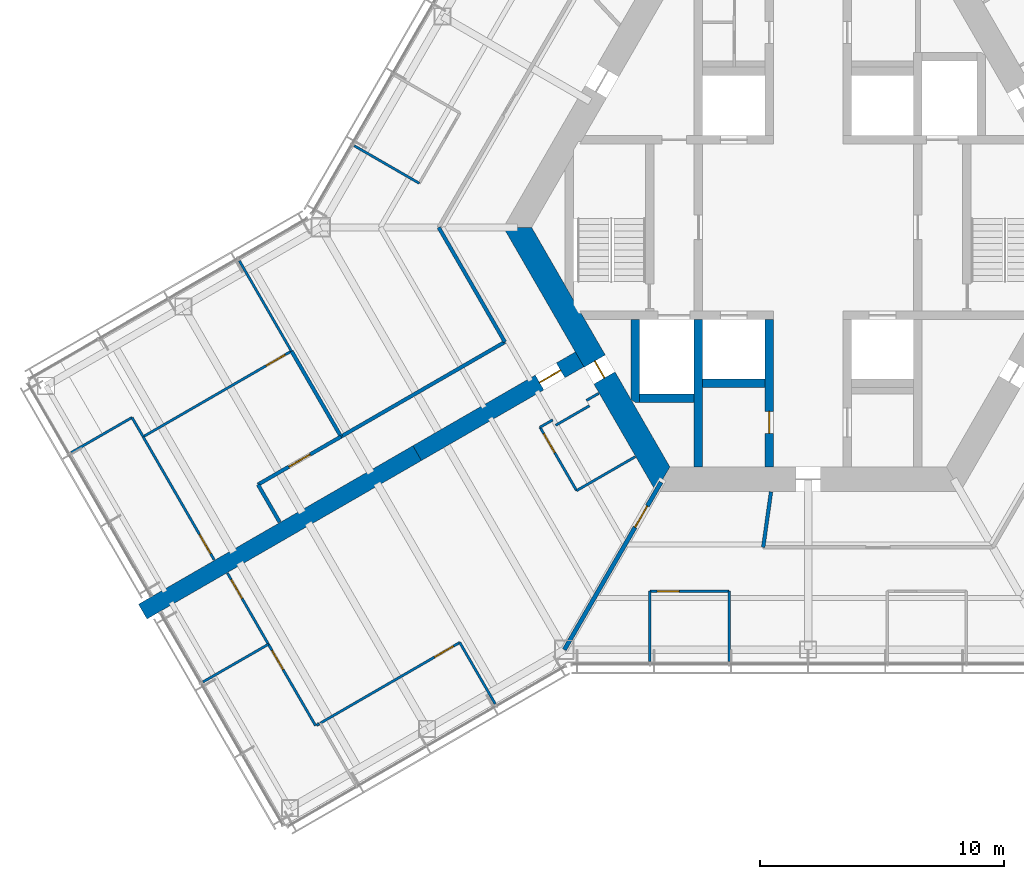
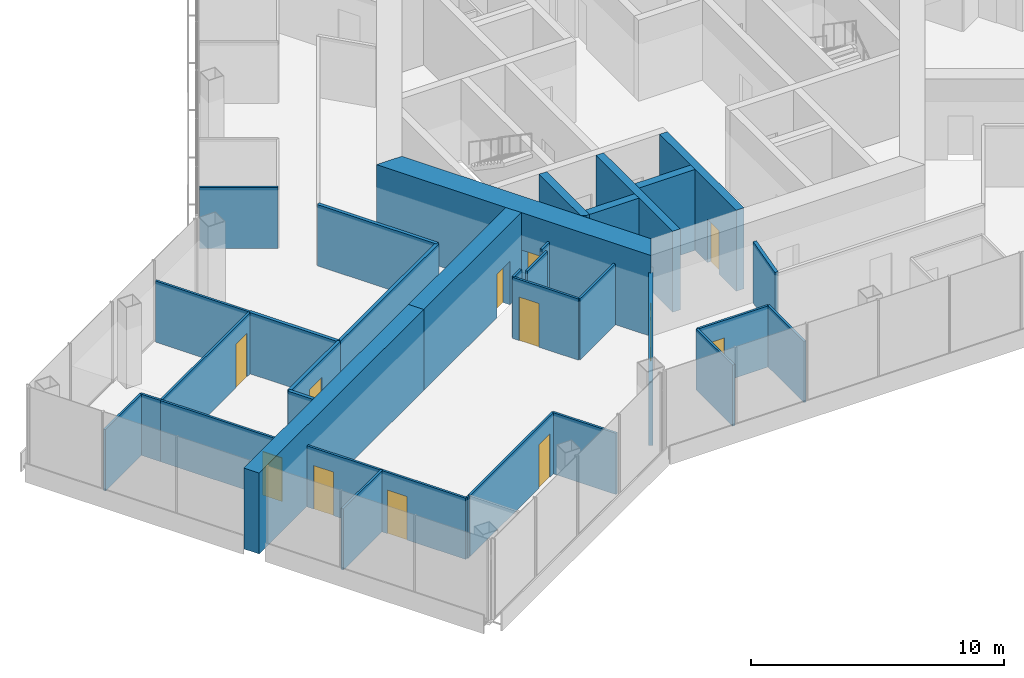
# One storey, part 12 of 18: 35 walls, 12 doors, 12 openings.
"""IFC4 building model written with IfcOpenShell, lengths in metres."""

from ifc_helpers import new_model, si_unit, direction, frame, frame_2d, origin, place, context, subcontext, project, spatial, polyline, rectangle, outline, extrude, material, layer, layer_set, type_object, element, fill, save


model = new_model("IFC4")

# Units and contexts
model_context = context("Model", 3, precision=1e-05, world=origin(), true_north=direction((0.0, 1.0)))
body_context = subcontext(model_context, "Body", "Model", "MODEL_VIEW")
ifc_project = project(units=[si_unit("LENGTHUNIT", "METRE"), si_unit("AREAUNIT", "SQUARE_METRE"), si_unit("VOLUMEUNIT", "CUBIC_METRE"), si_unit("PLANEANGLEUNIT", "RADIAN"), si_unit("MASSUNIT", "GRAM", prefix="KILO")], contexts=[model_context])

# Site, building, storey
site_placement = place(None, origin())
site = spatial("IfcSite", under=ifc_project, at=site_placement, CompositionType="ELEMENT")
building_placement = place(site_placement, origin())
building = spatial("IfcBuilding", under=site, at=building_placement, Name="Kasaneha Research Tower", CompositionType="ELEMENT")
storey_placement = place(building_placement, frame((0.0, 0.0, 187.699951171875)))
storey = spatial("IfcBuildingStorey", under=building, at=storey_placement, Name="L47", CompositionType="ELEMENT", Elevation=187.699951171875)

# Wall, opening, door
ifc_material_1 = material(Name="Concrete Fc70", Category="concrete")
ifc_layer_1 = layer(ifc_material_1, 0.35009765625)
ifc_layer_set_1 = layer_set([ifc_layer_1], Name="Core internal wall 350 Fc70")
wall_type_1 = type_object("IfcWallType", Name="Core internal wall 350 Fc70", PredefinedType="SHEAR", material=ifc_layer_set_1)
wall_1_placement = place(storey_placement, frame((-1.60009765625, -3.77490234375, 0.0), z_axis=(0.0, 0.0, 1.0), x_axis=(0.0, -1.0, 0.0)))
wall_1 = element("IfcWall", 1, at=wall_1_placement, inside=storey, type_object=wall_type_1, Name="Core wall CSW L47", PredefinedType="SHEAR", context=body_context, shape_type="SweptSolid", body=[
    extrude(rectangle(XDim=6.050048828125, YDim=0.35009765625, at=frame_2d((3.02490234375, 0.0))), origin(), (0.0, 0.0, 1.0), 3.900146484375),
])
opening_1_placement = place(wall_1_placement, frame((3.77490234375, 0.0, 0.0)))
opening_1 = element("IfcOpeningElement", 2, at=opening_1_placement, cuts=wall_1, Name="Opening L47-D16", PredefinedType="OPENING", context=body_context, shape_type="SweptSolid", body=[
    extrude(rectangle(XDim=0.89990234375, YDim=2.10009765625, at=frame_2d((0.449951171875, 1.050048828125))), frame((0.0, 0.18505859375, 0.0), z_axis=(0.0, -1.0, 0.0), x_axis=(1.0, 0.0, 0.0)), (0.0, 0.0, 1.0), 0.3701171875),
])
ifc_material_2 = material(Name="Steel", Category="steel")
door_type_1 = type_object("IfcDoorType", Name="Riser access door FD60 900x2100", OperationType="NOTDEFINED", PredefinedType="DOOR", material=ifc_material_2)
door_1_placement = place(opening_1_placement, origin())
door_1 = element("IfcDoor", 3, at=door_1_placement, inside=storey, type_object=door_type_1, Name="Electrical riser door L47-D16", OperationType="SINGLE_SWING_LEFT", OverallHeight=2.10009765625, OverallWidth=0.89990234375, PredefinedType="DOOR", context=body_context, shape_type="SweptSolid", body=[
    extrude(rectangle(XDim=0.89990234375, YDim=2.10009765625, at=frame_2d((0.449951171875, 1.050048828125))), frame((0.0, 0.02490234375, 0.0), z_axis=(0.0, -1.0, 0.0), x_axis=(1.0, 0.0, 0.0)), (0.0, 0.0, 1.0), 0.050048828125),
])
fill(opening_1, door_1)

# Walls
wall_2_placement = place(storey_placement, frame((-4.5, -3.77490234375, 0.0), z_axis=(0.0, 0.0, 1.0), x_axis=(0.0, -1.0, 0.0)))
element("IfcWall", 4, at=wall_2_placement, inside=storey, type_object=wall_type_1, Name="Core wall SSW L47", PredefinedType="SHEAR", context=body_context, shape_type="SweptSolid", body=[
    extrude(rectangle(XDim=6.050048828125, YDim=0.35009765625, at=frame_2d((3.02490234375, 0.0))), origin(), (0.0, 0.0, 1.0), 3.900146484375),
])
wall_3_placement = place(storey_placement, frame((-4.324951171875, -6.39990234375, 0.0), z_axis=(0.0, 0.0, 1.0), x_axis=(1.0, 0.0, 0.0)))
element("IfcWall", 5, at=wall_3_placement, inside=storey, type_object=wall_type_1, Name="Core wall S1S L47", PredefinedType="SHEAR", context=body_context, shape_type="SweptSolid", body=[
    extrude(rectangle(XDim=2.550048828125, YDim=0.35009765625, at=frame_2d((1.27490234375, 0.0))), origin(), (0.0, 0.0, 1.0), 3.900146484375),
])
wall_4_placement = place(storey_placement, frame((-6.925048828125, -7.0, 0.0), z_axis=(0.0, 0.0, 1.0), x_axis=(1.0, 0.0, 0.0)))
element("IfcWall", 6, at=wall_4_placement, inside=storey, type_object=wall_type_1, Name="Core wall F2S L47", PredefinedType="SHEAR", context=body_context, shape_type="SweptSolid", body=[
    extrude(rectangle(XDim=2.25, YDim=0.35009765625, at=frame_2d((1.125, 0.0))), origin(), (0.0, 0.0, 1.0), 3.900146484375),
])
wall_5_placement = place(storey_placement, frame((-7.10009765625, -3.77490234375, 0.0), z_axis=(0.0, 0.0, 1.0), x_axis=(0.0, -1.0, 0.0)))
element("IfcWall", 7, at=wall_5_placement, inside=storey, type_object=wall_type_1, Name="Core wall F2W L47", PredefinedType="SHEAR", context=body_context, shape_type="SweptSolid", body=[
    extrude(outline(polyline([(0.0, -0.175048828125), (3.2744140625, -0.175048828125), (3.400146484375, 0.0), (3.400146484375, 0.175048828125), (0.0, 0.175048828125), (0.0, -0.175048828125)])), origin(), (0.0, 0.0, 1.0), 3.900146484375),
])

# Wall, opening, door
ifc_material_3 = material(Name="Concrete Fc70", Category="concrete")
ifc_layer_2 = layer(ifc_material_3, 1.0)
ifc_layer_set_2 = layer_set([ifc_layer_2], Name="Core wall 1000 Fc70")
wall_type_2 = type_object("IfcWallType", Name="Core wall 1000 Fc70", PredefinedType="SHEAR", material=ifc_layer_set_2)
wall_6_placement = place(storey_placement, frame((-11.92236328125, 0.0, 0.0), z_axis=(0.0, 0.0, 1.0), x_axis=(0.500004296715, -0.866022923061, 0.0)))
wall_6 = element("IfcWall", 8, at=wall_6_placement, inside=storey, type_object=wall_type_2, Name="Core wall 210 L47", PredefinedType="SHEAR", context=body_context, shape_type="SweptSolid", body=[
    extrude(outline(polyline([(-0.28857421875, -0.5), (6.3310546875, -0.5), (7.131103515625, -0.5), (12.2109375, -0.5), (11.6337890625, 0.5), (7.131103515625, 0.5), (6.3310546875, 0.5), (0.28857421875, 0.5), (-0.28857421875, -0.5)])), origin(), (0.0, 0.0, 1.0), 3.900146484375),
])
opening_2_placement = place(wall_6_placement, frame((6.3310546875, 0.0, 0.0)))
opening_2 = element("IfcOpeningElement", 9, at=opening_2_placement, cuts=wall_6, Name="Opening L47-D06", PredefinedType="OPENING", context=body_context, shape_type="SweptSolid", body=[
    extrude(rectangle(XDim=0.800048828125, YDim=2.10009765625, at=frame_2d((0.39990234375, 1.050048828125))), frame((0.0, 0.510009765625, 0.0), z_axis=(0.0, -1.0, 0.0), x_axis=(1.0, 0.0, 0.0)), (0.0, 0.0, 1.0), 1.02001953125),
])
ifc_material_4 = material(Name="Steel", Category="steel")
door_type_2 = type_object("IfcDoorType", Name="Riser access door FD60 800x2100", OperationType="NOTDEFINED", PredefinedType="DOOR", material=ifc_material_4)
door_2_placement = place(opening_2_placement, origin())
door_2 = element("IfcDoor", 10, at=door_2_placement, inside=storey, type_object=door_type_2, Name="Duct riser door L47-D06", OperationType="SINGLE_SWING_RIGHT", OverallHeight=2.10009765625, OverallWidth=0.800048828125, PredefinedType="DOOR", context=body_context, shape_type="SweptSolid", body=[
    extrude(rectangle(XDim=0.800048828125, YDim=2.10009765625, at=frame_2d((0.39990234375, 1.050048828125))), frame((0.0, 0.02490234375, 0.0), z_axis=(0.0, -1.0, 0.0), x_axis=(1.0, 0.0, 0.0)), (0.0, 0.0, 1.0), 0.050048828125),
])
fill(opening_2, door_2)

# Walls
ifc_material_5 = material(Name="Gypsum board on steel studs, one layer each side", Category="steel")
ifc_layer_3 = layer(ifc_material_5, 0.10009765625)
ifc_layer_set_3 = layer_set([ifc_layer_3], Name="Office partition 100")
wall_type_3 = type_object("IfcWallType", Name="Office partition 100", PredefinedType="PARTITIONING", material=ifc_layer_set_3)
wall_7_placement = place(storey_placement, frame((-27.73828125, -7.797119140625, 0.0), z_axis=(0.0, 0.0, 1.0), x_axis=(-0.866069831116, -0.499923041708, 0.0)))
element("IfcWall", 11, at=wall_7_placement, inside=storey, type_object=wall_type_3, Name="Office partition FBN07 L47", PredefinedType="PARTITIONING", context=body_context, shape_type="SweptSolid", body=[
    extrude(rectangle(XDim=2.8798828125, YDim=0.10009765625, at=frame_2d((1.43994140625, 0.0))), origin(), (0.0, 0.0, 1.0), 2.949951171875),
])
wall_8_placement = place(storey_placement, frame((-27.27490234375, -8.58935546875, 0.0), z_axis=(0.0, 0.0, 1.0), x_axis=(-0.504879575425, 0.863189790439, 0.0)))
element("IfcWall", 12, at=wall_8_placement, inside=storey, type_object=wall_type_3, Name="Office partition FBN08 L47", PredefinedType="PARTITIONING", context=body_context, shape_type="SweptSolid", body=[
    extrude(rectangle(XDim=0.917724609375, YDim=0.10009765625, at=frame_2d((0.458984375, 0.0))), origin(), (0.0, 0.0, 1.0), 2.949951171875),
])
wall_9_placement = place(storey_placement, frame((-23.332275390625, -1.36962890625, 0.0), z_axis=(0.0, 0.0, 1.0), x_axis=(0.499054016655, -0.866570879075, 0.0)))
element("IfcWall", 13, at=wall_9_placement, inside=storey, type_object=wall_type_3, Name="Office partition FBN09 L47", PredefinedType="PARTITIONING", context=body_context, shape_type="SweptSolid", body=[
    extrude(rectangle(XDim=4.280029296875, YDim=0.10009765625, at=frame_2d((2.14013671875, 0.0))), origin(), (0.0, 0.0, 1.0), 2.949951171875),
])

# Wall, opening, door
wall_10_placement = place(storey_placement, frame((-21.194580078125, -5.072265625, 0.0), z_axis=(0.0, 0.0, 1.0), x_axis=(-0.865987754233, -0.500065205266, 0.0)))
wall_10 = element("IfcWall", 14, at=wall_10_placement, inside=storey, type_object=wall_type_3, Name="Office partition FBN10 L47", PredefinedType="PARTITIONING", context=body_context, shape_type="SweptSolid", body=[
    extrude(rectangle(XDim=7.02880859375, YDim=0.10009765625, at=frame_2d((3.514404296875, 0.0))), origin(), (0.0, 0.0, 1.0), 2.949951171875),
])
opening_3_placement = place(wall_10_placement, frame((0.300048828125, 0.0, 0.0)))
opening_3 = element("IfcOpeningElement", 15, at=opening_3_placement, cuts=wall_10, Name="Opening L47-D33", PredefinedType="OPENING", context=body_context, shape_type="SweptSolid", body=[
    extrude(rectangle(XDim=0.89990234375, YDim=2.10009765625, at=frame_2d((0.449951171875, 1.050048828125))), frame((0.0, 0.06005859375, 0.0), z_axis=(0.0, -1.0, 0.0), x_axis=(1.0, 0.0, 0.0)), (0.0, 0.0, 1.0), 0.1201171875),
])
ifc_material_6 = material(Name="Timber veneer", Category="wood")
door_type_3 = type_object("IfcDoorType", Name="Office door 900x2100", OperationType="SINGLE_SWING_LEFT", PredefinedType="DOOR", material=ifc_material_6)
door_3_placement = place(opening_3_placement, origin())
door_3 = element("IfcDoor", 16, at=door_3_placement, inside=storey, type_object=door_type_3, Name="Board meeting room door L47-D33", OperationType="SINGLE_SWING_LEFT", OverallHeight=2.10009765625, OverallWidth=0.89990234375, PredefinedType="DOOR", context=body_context, shape_type="SweptSolid", body=[
    extrude(rectangle(XDim=0.89990234375, YDim=2.10009765625, at=frame_2d((0.449951171875, 1.050048828125))), frame((0.0, 0.02490234375, 0.0), z_axis=(0.0, -1.0, 0.0), x_axis=(1.0, 0.0, 0.0)), (0.0, 0.0, 1.0), 0.050048828125),
])
fill(opening_3, door_3)

wall_11_placement = place(storey_placement, frame((-27.281982421875, -8.58740234375, 0.0), z_axis=(0.0, 0.0, 1.0), x_axis=(0.499991719831, -0.86603018429, 0.0)))
wall_11 = element("IfcWall", 17, at=wall_11_placement, inside=storey, type_object=wall_type_3, Name="Office partition FBN11 L47", PredefinedType="PARTITIONING", context=body_context, shape_type="SweptSolid", body=[
    extrude(rectangle(XDim=5.833984375, YDim=0.10009765625, at=frame_2d((2.9169921875, 0.0))), origin(), (0.0, 0.0, 1.0), 2.949951171875),
])
opening_4_placement = place(wall_11_placement, frame((4.634033203125, 0.0, 0.0)))
opening_4 = element("IfcOpeningElement", 18, at=opening_4_placement, cuts=wall_11, Name="Opening L47-D34", PredefinedType="OPENING", context=body_context, shape_type="SweptSolid", body=[
    extrude(rectangle(XDim=0.89990234375, YDim=2.10009765625, at=frame_2d((0.449951171875, 1.050048828125))), frame((0.0, 0.06005859375, 0.0), z_axis=(0.0, -1.0, 0.0), x_axis=(1.0, 0.0, 0.0)), (0.0, 0.0, 1.0), 0.1201171875),
])
door_4_placement = place(opening_4_placement, origin())
door_4 = element("IfcDoor", 19, at=door_4_placement, inside=storey, type_object=door_type_3, Name="Manager's office door L47-D34", OperationType="SINGLE_SWING_RIGHT", OverallHeight=2.10009765625, OverallWidth=0.89990234375, PredefinedType="DOOR", context=body_context, shape_type="SweptSolid", body=[
    extrude(rectangle(XDim=0.89990234375, YDim=2.10009765625, at=frame_2d((0.449951171875, 1.050048828125))), frame((0.0, 0.02490234375, 0.0), z_axis=(0.0, -1.0, 0.0), x_axis=(1.0, 0.0, 0.0)), (0.0, 0.0, 1.0), 0.050048828125),
])
fill(opening_4, door_4)

# Walls
wall_12_placement = place(storey_placement, frame((-15.952392578125, 1.810546875, 0.0), z_axis=(0.0, 0.0, 1.0), x_axis=(-0.866029832698, 0.499992328818, 0.0)))
element("IfcWall", 20, at=wall_12_placement, inside=storey, type_object=wall_type_3, Name="Office partition FBN16 L47", PredefinedType="PARTITIONING", context=body_context, shape_type="SweptSolid", body=[
    extrude(rectangle(XDim=3.080078125, YDim=0.10009765625, at=frame_2d((1.5400390625, 0.0))), origin(), (0.0, 0.0, 1.0), 2.949951171875),
])
wall_13_placement = place(storey_placement, frame((-10.99951171875, -8.197998046875, 0.0), z_axis=(0.0, 0.0, 1.0), x_axis=(0.866131372301, 0.499816412211, 0.0)))
element("IfcWall", 21, at=wall_13_placement, inside=storey, type_object=wall_type_3, Name="Office partition FBS01 L47", PredefinedType="PARTITIONING", context=body_context, shape_type="SweptSolid", body=[
    extrude(rectangle(XDim=0.599853515625, YDim=0.10009765625, at=frame_2d((0.2998046875, 0.0))), origin(), (0.0, 0.0, 1.0), 2.949951171875),
])
wall_14_placement = place(storey_placement, frame((-10.35498046875, -8.114501953125, 0.0), z_axis=(0.0, 0.0, 1.0), x_axis=(0.866094119867, 0.499880961361, 0.0)))
element("IfcWall", 22, at=wall_14_placement, inside=storey, type_object=wall_type_3, Name="Office partition FBS02 L47", PredefinedType="PARTITIONING", context=body_context, shape_type="SweptSolid", body=[
    extrude(rectangle(XDim=1.60009765625, YDim=0.10009765625, at=frame_2d((0.800048828125, 0.0))), origin(), (0.0, 0.0, 1.0), 2.949951171875),
])

# Wall, opening, door
wall_15_placement = place(storey_placement, frame((-9.49951171875, -10.796142578125, 0.0), z_axis=(0.0, 0.0, 1.0), x_axis=(-0.499990139034, 0.866031096941, 0.0)))
wall_15 = element("IfcWall", 23, at=wall_15_placement, inside=storey, type_object=wall_type_3, Name="Office partition FBS03 L47", PredefinedType="PARTITIONING", context=body_context, shape_type="SweptSolid", body=[
    extrude(rectangle(XDim=3.0, YDim=0.10009765625, at=frame_2d((1.5, 0.0))), origin(), (0.0, 0.0, 1.0), 2.949951171875),
])
opening_5_placement = place(wall_15_placement, frame((1.800048828125, 0.0, 0.0)))
opening_5 = element("IfcOpeningElement", 24, at=opening_5_placement, cuts=wall_15, Name="Opening L47-D37", PredefinedType="OPENING", context=body_context, shape_type="SweptSolid", body=[
    extrude(rectangle(XDim=0.89990234375, YDim=2.10009765625, at=frame_2d((0.449951171875, 1.050048828125))), frame((0.0, 0.06005859375, 0.0), z_axis=(0.0, -1.0, 0.0), x_axis=(1.0, 0.0, 0.0)), (0.0, 0.0, 1.0), 0.1201171875),
])
door_5_placement = place(opening_5_placement, origin())
door_5 = element("IfcDoor", 25, at=door_5_placement, inside=storey, type_object=door_type_3, Name="Pantry door L47-D37", OperationType="SINGLE_SWING_RIGHT", OverallHeight=2.10009765625, OverallWidth=0.89990234375, PredefinedType="DOOR", context=body_context, shape_type="SweptSolid", body=[
    extrude(rectangle(XDim=0.89990234375, YDim=2.10009765625, at=frame_2d((0.449951171875, 1.050048828125))), frame((0.0, 0.02490234375, 0.0), z_axis=(0.0, -1.0, 0.0), x_axis=(1.0, 0.0, 0.0)), (0.0, 0.0, 1.0), 0.050048828125),
])
fill(opening_5, door_5)

# Walls
wall_16_placement = place(storey_placement, frame((-9.09423828125, -7.09814453125, 0.0), z_axis=(0.0, 0.0, 1.0), x_axis=(0.865954211699, 0.50012328804, 0.0)))
element("IfcWall", 26, at=wall_16_placement, inside=storey, type_object=wall_type_3, Name="Office partition FBS04 L47", PredefinedType="PARTITIONING", context=body_context, shape_type="SweptSolid", body=[
    extrude(rectangle(XDim=0.579833984375, YDim=0.10009765625, at=frame_2d((0.2900390625, 0.0))), origin(), (0.0, 0.0, 1.0), 2.949951171875),
])
wall_17_placement = place(storey_placement, frame((-7.092041015625, -9.40625, 0.0), z_axis=(0.0, 0.0, 1.0), x_axis=(-0.86603494908, -0.499983466698, 0.0)))
element("IfcWall", 27, at=wall_17_placement, inside=storey, type_object=wall_type_3, Name="Office partition FBS05 L47", PredefinedType="PARTITIONING", context=body_context, shape_type="SweptSolid", body=[
    extrude(rectangle(XDim=2.77978515625, YDim=0.10009765625, at=frame_2d((1.389892578125, 0.0))), origin(), (0.0, 0.0, 1.0), 2.949951171875),
])

# Wall, opening, door
wall_18_placement = place(storey_placement, frame((-20.02294921875, -20.340576171875, 0.0), z_axis=(0.0, 0.0, 1.0), x_axis=(0.865724093718, 0.500521521571, 0.0)))
wall_18 = element("IfcWall", 28, at=wall_18_placement, inside=storey, type_object=wall_type_3, Name="Office partition FBS07 L47", PredefinedType="PARTITIONING", context=body_context, shape_type="SweptSolid", body=[
    extrude(rectangle(XDim=6.61962890625, YDim=0.10009765625, at=frame_2d((3.309814453125, 0.0))), origin(), (0.0, 0.0, 1.0), 2.949951171875),
])
opening_6_placement = place(wall_18_placement, frame((5.419677734375, 0.0, 0.0)))
opening_6 = element("IfcOpeningElement", 29, at=opening_6_placement, cuts=wall_18, Name="Opening L47-D38", PredefinedType="OPENING", context=body_context, shape_type="SweptSolid", body=[
    extrude(rectangle(XDim=0.89990234375, YDim=2.10009765625, at=frame_2d((0.449951171875, 1.050048828125))), frame((0.0, 0.06005859375, 0.0), z_axis=(0.0, -1.0, 0.0), x_axis=(1.0, 0.0, 0.0)), (0.0, 0.0, 1.0), 0.1201171875),
])
door_6_placement = place(opening_6_placement, origin())
door_6 = element("IfcDoor", 30, at=door_6_placement, inside=storey, type_object=door_type_3, Name="Manager's office door L47-D38", OperationType="SINGLE_SWING_RIGHT", OverallHeight=2.10009765625, OverallWidth=0.89990234375, PredefinedType="DOOR", context=body_context, shape_type="SweptSolid", body=[
    extrude(rectangle(XDim=0.89990234375, YDim=2.10009765625, at=frame_2d((0.449951171875, 1.050048828125))), frame((0.0, 0.02490234375, 0.0), z_axis=(0.0, -1.0, 0.0), x_axis=(1.0, 0.0, 0.0)), (0.0, 0.0, 1.0), 0.050048828125),
])
fill(opening_6, door_6)

# Walls
wall_19_placement = place(storey_placement, frame((-14.292236328125, -17.02734375, 0.0), z_axis=(0.0, 0.0, 1.0), x_axis=(0.500025556299, -0.866010648346, 0.0)))
element("IfcWall", 31, at=wall_19_placement, inside=storey, type_object=wall_type_3, Name="Office partition FBS08 L47", PredefinedType="PARTITIONING", context=body_context, shape_type="SweptSolid", body=[
    extrude(rectangle(XDim=2.905029296875, YDim=0.10009765625, at=frame_2d((1.45263671875, 0.0))), origin(), (0.0, 0.0, 1.0), 2.949951171875),
])
wall_20_placement = place(storey_placement, frame((-24.8291015625, -18.64599609375, 0.0), z_axis=(0.0, 0.0, 1.0), x_axis=(0.866817104484, 0.498626220103, 0.0)))
element("IfcWall", 32, at=wall_20_placement, inside=storey, type_object=wall_type_3, Name="Office partition FBS09 L47", PredefinedType="PARTITIONING", context=body_context, shape_type="SweptSolid", body=[
    extrude(rectangle(XDim=3.105224609375, YDim=0.10009765625, at=frame_2d((1.552734375, 0.0))), origin(), (0.0, 0.0, 1.0), 2.949951171875),
])

# Wall, opening, door
wall_21_placement = place(storey_placement, frame((-22.143798828125, -17.095458984375, 0.0), z_axis=(0.0, 0.0, 1.0), x_axis=(0.501190610045, -0.865336912655, 0.0)))
wall_21 = element("IfcWall", 33, at=wall_21_placement, inside=storey, type_object=wall_type_3, Name="Office partition FBS10 L47", PredefinedType="PARTITIONING", context=body_context, shape_type="SweptSolid", body=[
    extrude(rectangle(XDim=3.86572265625, YDim=0.10009765625, at=frame_2d((1.932861328125, 0.0))), origin(), (0.0, 0.0, 1.0), 2.949951171875),
])
opening_7_placement = place(wall_21_placement, frame((0.300048828125, 0.0, 0.0)))
opening_7 = element("IfcOpeningElement", 34, at=opening_7_placement, cuts=wall_21, Name="Opening L47-D39", PredefinedType="OPENING", context=body_context, shape_type="SweptSolid", body=[
    extrude(rectangle(XDim=0.89990234375, YDim=2.10009765625, at=frame_2d((0.449951171875, 1.050048828125))), frame((0.0, 0.06005859375, 0.0), z_axis=(0.0, -1.0, 0.0), x_axis=(1.0, 0.0, 0.0)), (0.0, 0.0, 1.0), 0.1201171875),
])
door_7_placement = place(opening_7_placement, origin())
door_7 = element("IfcDoor", 35, at=door_7_placement, inside=storey, type_object=door_type_3, Name="Workroom door L47-D39", OperationType="SINGLE_SWING_LEFT", OverallHeight=2.10009765625, OverallWidth=0.89990234375, PredefinedType="DOOR", context=body_context, shape_type="SweptSolid", body=[
    extrude(rectangle(XDim=0.89990234375, YDim=2.10009765625, at=frame_2d((0.449951171875, 1.050048828125))), frame((0.0, 0.02490234375, 0.0), z_axis=(0.0, -1.0, 0.0), x_axis=(1.0, 0.0, 0.0)), (0.0, 0.0, 1.0), 0.050048828125),
])
fill(opening_7, door_7)

wall_22_placement = place(storey_placement, frame((-23.82177734375, -14.1806640625, 0.0), z_axis=(0.0, 0.0, 1.0), x_axis=(0.49891157834, -0.866652893031, 0.0)))
wall_22 = element("IfcWall", 36, at=wall_22_placement, inside=storey, type_object=wall_type_3, Name="Office partition FBS11 L47", PredefinedType="PARTITIONING", context=body_context, shape_type="SweptSolid", body=[
    extrude(rectangle(XDim=3.36328125, YDim=0.10009765625, at=frame_2d((1.681640625, 0.0))), origin(), (0.0, 0.0, 1.0), 2.949951171875),
])
opening_8_placement = place(wall_22_placement, frame((0.300048828125, 0.0, 0.0)))
opening_8 = element("IfcOpeningElement", 37, at=opening_8_placement, cuts=wall_22, Name="Opening L47-D40", PredefinedType="OPENING", context=body_context, shape_type="SweptSolid", body=[
    extrude(rectangle(XDim=0.89990234375, YDim=2.10009765625, at=frame_2d((0.449951171875, 1.050048828125))), frame((0.0, 0.06005859375, 0.0), z_axis=(0.0, -1.0, 0.0), x_axis=(1.0, 0.0, 0.0)), (0.0, 0.0, 1.0), 0.1201171875),
])
door_8_placement = place(opening_8_placement, origin())
door_8 = element("IfcDoor", 38, at=door_8_placement, inside=storey, type_object=door_type_3, Name="Phone room door L47-D40", OperationType="SINGLE_SWING_LEFT", OverallHeight=2.10009765625, OverallWidth=0.89990234375, PredefinedType="DOOR", context=body_context, shape_type="SweptSolid", body=[
    extrude(rectangle(XDim=0.89990234375, YDim=2.10009765625, at=frame_2d((0.449951171875, 1.050048828125))), frame((0.0, 0.02490234375, 0.0), z_axis=(0.0, -1.0, 0.0), x_axis=(1.0, 0.0, 0.0)), (0.0, 0.0, 1.0), 0.050048828125),
])
fill(opening_8, door_8)

# Wall
wall_23_placement = place(storey_placement, frame((-6.492919921875, -17.800537109375, 0.0), z_axis=(0.0, 0.0, 1.0), x_axis=(0.0, 1.0, 0.0)))
element("IfcWall", 39, at=wall_23_placement, inside=storey, type_object=wall_type_3, Name="Office partition FCS10 L47", PredefinedType="PARTITIONING", context=body_context, shape_type="SweptSolid", body=[
    extrude(rectangle(XDim=2.880126953125, YDim=0.10009765625, at=frame_2d((1.43994140625, 0.0))), origin(), (0.0, 0.0, 1.0), 2.949951171875),
])

# Wall, opening, door
wall_24_placement = place(storey_placement, frame((-6.492919921875, -14.92041015625, 0.0), z_axis=(0.0, 0.0, 1.0), x_axis=(1.0, 0.0, 0.0)))
wall_24 = element("IfcWall", 40, at=wall_24_placement, inside=storey, type_object=wall_type_3, Name="Office partition FCS11 L47", PredefinedType="PARTITIONING", context=body_context, shape_type="SweptSolid", body=[
    extrude(rectangle(XDim=3.24658203125, YDim=0.10009765625, at=frame_2d((1.623291015625, 0.0))), origin(), (0.0, 0.0, 1.0), 2.949951171875),
])
opening_9_placement = place(wall_24_placement, frame((0.300048828125, 0.0, 0.0)))
opening_9 = element("IfcOpeningElement", 41, at=opening_9_placement, cuts=wall_24, Name="Opening L47-D46", PredefinedType="OPENING", context=body_context, shape_type="SweptSolid", body=[
    extrude(rectangle(XDim=0.89990234375, YDim=2.10009765625, at=frame_2d((0.449951171875, 1.050048828125))), frame((0.0, 0.06005859375, 0.0), z_axis=(0.0, -1.0, 0.0), x_axis=(1.0, 0.0, 0.0)), (0.0, 0.0, 1.0), 0.1201171875),
])
door_9_placement = place(opening_9_placement, origin())
door_9 = element("IfcDoor", 42, at=door_9_placement, inside=storey, type_object=door_type_3, Name="Manager's office door L47-D46", OperationType="SINGLE_SWING_LEFT", OverallHeight=2.10009765625, OverallWidth=0.89990234375, PredefinedType="DOOR", context=body_context, shape_type="SweptSolid", body=[
    extrude(rectangle(XDim=0.89990234375, YDim=2.10009765625, at=frame_2d((0.449951171875, 1.050048828125))), frame((0.0, 0.02490234375, 0.0), z_axis=(0.0, -1.0, 0.0), x_axis=(1.0, 0.0, 0.0)), (0.0, 0.0, 1.0), 0.050048828125),
])
fill(opening_9, door_9)

# Walls
wall_25_placement = place(storey_placement, frame((-3.246337890625, -14.92041015625, 0.0), z_axis=(0.0, 0.0, 1.0), x_axis=(0.0, -1.0, 0.0)))
element("IfcWall", 43, at=wall_25_placement, inside=storey, type_object=wall_type_3, Name="Office partition FCS12 L47", PredefinedType="PARTITIONING", context=body_context, shape_type="SweptSolid", body=[
    extrude(rectangle(XDim=2.880126953125, YDim=0.10009765625, at=frame_2d((1.43994140625, 0.0))), origin(), (0.0, 0.0, 1.0), 2.949951171875),
])
wall_26_placement = place(storey_placement, frame((-20.162841796875, -20.416015625, 0.0), z_axis=(0.0, 0.0, 1.0), x_axis=(0.868768086692, 0.495219155068, 0.0)))
element("IfcWall", 44, at=wall_26_placement, inside=storey, type_object=wall_type_3, Name="Office partition closer PT5 L47", PredefinedType="PARTITIONING", context=body_context, shape_type="SweptSolid", body=[
    extrude(rectangle(XDim=0.1142578125, YDim=0.10009765625, at=frame_2d((0.05712890625, 0.0))), origin(), (0.0, 0.0, 1.0), 2.949951171875),
])

# Wall, opening, door
ifc_material_7 = material(Name="Concrete Fc70", Category="concrete")
ifc_layer_4 = layer(ifc_material_7, 0.699951171875)
ifc_layer_set_4 = layer_set([ifc_layer_4], Name="Spine wall 700 Fc70")
wall_type_4 = type_object("IfcWallType", Name="Spine wall 700 Fc70", PredefinedType="SHEAR", material=ifc_layer_set_4)
wall_27_placement = place(storey_placement, frame((-9.374755859375, -5.41259765625, 0.0), z_axis=(0.0, 0.0, 1.0), x_axis=(-0.866032377459, -0.499987921047, 0.0)))
wall_27 = element("IfcWall", 45, at=wall_27_placement, inside=storey, type_object=wall_type_4, Name="Spine wall B L47", PredefinedType="SHEAR", context=body_context, shape_type="SweptSolid", body=[
    extrude(rectangle(XDim=7.695556640625, YDim=0.699951171875, at=frame_2d((3.84765625, 0.0))), origin(), (0.0, 0.0, 1.0), 3.900146484375),
])
opening_10_placement = place(wall_27_placement, frame((0.89990234375, 0.0, 0.0)))
opening_10 = element("IfcOpeningElement", 46, at=opening_10_placement, cuts=wall_27, Name="Opening L47-D18", PredefinedType="OPENING", context=body_context, shape_type="SweptSolid", body=[
    extrude(rectangle(XDim=1.0, YDim=2.10009765625, at=frame_2d((0.5, 1.050048828125))), frame((0.0, 0.35986328125, 0.0), z_axis=(0.0, -1.0, 0.0), x_axis=(1.0, 0.0, 0.0)), (0.0, 0.0, 1.0), 0.719970703125),
])
ifc_material_8 = material(Name="Steel", Category="steel")
door_type_4 = type_object("IfcDoorType", Name="Specified fire door FD60 1000x2100", OperationType="NOTDEFINED", PredefinedType="DOOR", material=ifc_material_8)
door_10_placement = place(opening_10_placement, origin())
door_10 = element("IfcDoor", 47, at=door_10_placement, inside=storey, type_object=door_type_4, Name="Spine doorway B L47-D18", OperationType="SINGLE_SWING_LEFT", OverallHeight=2.10009765625, OverallWidth=1.0, PredefinedType="DOOR", context=body_context, shape_type="SweptSolid", body=[
    extrude(rectangle(XDim=1.0, YDim=2.10009765625, at=frame_2d((0.5, 1.050048828125))), frame((0.0, 0.02490234375, 0.0), z_axis=(0.0, -1.0, 0.0), x_axis=(1.0, 0.0, 0.0)), (0.0, 0.0, 1.0), 0.050048828125),
])
fill(opening_10, door_10)

# Walls
wall_28_placement = place(storey_placement, frame((-16.039306640625, -9.26025390625, 0.0), z_axis=(0.0, 0.0, 1.0), x_axis=(-0.866024837091, -0.50000098154, 0.0)))
element("IfcWall", 48, at=wall_28_placement, inside=storey, type_object=wall_type_4, Name="Spine wall B wing L47", PredefinedType="SHEAR", context=body_context, shape_type="SweptSolid", body=[
    extrude(rectangle(XDim=13.0, YDim=0.699951171875, at=frame_2d((6.5, 0.0))), origin(), (0.0, 0.0, 1.0), 3.900146484375),
])
ifc_material_9 = material(Name="Gypsum board on steel studs, two layers each side", Category="steel")
ifc_layer_5 = layer(ifc_material_9, 0.14990234375)
ifc_layer_set_5 = layer_set([ifc_layer_5], Name="Suite partition 150")
wall_type_5 = type_object("IfcWallType", Name="Suite partition 150", PredefinedType="PARTITIONING", material=ifc_layer_set_5)
wall_29_placement = place(storey_placement, frame((-19.17138671875, -8.586181640625, 0.0), z_axis=(0.0, 0.0, 1.0), x_axis=(0.866007176269, 0.500031569654, 0.0)))
element("IfcWall", 49, at=wall_29_placement, inside=storey, type_object=wall_type_5, Name="Suite partition FBN01 L47", PredefinedType="PARTITIONING", context=body_context, shape_type="SweptSolid", body=[
    extrude(rectangle(XDim=7.77099609375, YDim=0.14990234375, at=frame_2d((3.885498046875, 0.0))), origin(), (0.0, 0.0, 1.0), 2.949951171875),
])
wall_30_placement = place(storey_placement, frame((-12.441650390625, -4.700439453125, 0.0), z_axis=(0.0, 0.0, 1.0), x_axis=(-0.500009286329, 0.866020042254, 0.0)))
element("IfcWall", 50, at=wall_30_placement, inside=storey, type_object=wall_type_5, Name="Suite partition FBN03 L47", PredefinedType="PARTITIONING", context=body_context, shape_type="SweptSolid", body=[
    extrude(rectangle(XDim=5.427734375, YDim=0.14990234375, at=frame_2d((2.7138671875, 0.0))), origin(), (0.0, 0.0, 1.0), 2.949951171875),
])

# Wall, opening, door
wall_31_placement = place(storey_placement, frame((-22.5703125, -10.54833984375, 0.0), z_axis=(0.0, 0.0, 1.0), x_axis=(0.866027491634, 0.499996383721, 0.0)))
wall_31 = element("IfcWall", 51, at=wall_31_placement, inside=storey, type_object=wall_type_5, Name="Suite partition FBN05 L47", PredefinedType="PARTITIONING", context=body_context, shape_type="SweptSolid", body=[
    extrude(rectangle(XDim=3.9345703125, YDim=0.14990234375, at=frame_2d((1.96728515625, 0.0))), origin(), (0.0, 0.0, 1.0), 2.949951171875),
])
opening_11_placement = place(wall_31_placement, frame((1.467041015625, 0.0, 0.0)))
opening_11 = element("IfcOpeningElement", 52, at=opening_11_placement, cuts=wall_31, Name="Opening L47-D32", PredefinedType="OPENING", context=body_context, shape_type="SweptSolid", body=[
    extrude(rectangle(XDim=1.0, YDim=2.10009765625, at=frame_2d((0.5, 1.050048828125))), frame((0.0, 0.0849609375, 0.0), z_axis=(0.0, -1.0, 0.0), x_axis=(1.0, 0.0, 0.0)), (0.0, 0.0, 1.0), 0.169921875),
])
ifc_material_10 = material(Name="Steel", Category="steel")
door_type_5 = type_object("IfcDoorType", Name="Suite entrance door FD60 1000x2100", OperationType="NOTDEFINED", PredefinedType="DOOR", material=ifc_material_10)
door_11_placement = place(opening_11_placement, origin())
door_11 = element("IfcDoor", 53, at=door_11_placement, inside=storey, type_object=door_type_5, Name="Suite entrance door L47-D32", OperationType="SINGLE_SWING_LEFT", OverallHeight=2.10009765625, OverallWidth=1.0, PredefinedType="DOOR", context=body_context, shape_type="SweptSolid", body=[
    extrude(rectangle(XDim=1.0, YDim=2.10009765625, at=frame_2d((0.5, 1.050048828125))), frame((0.0, 0.02490234375, 0.0), z_axis=(0.0, -1.0, 0.0), x_axis=(1.0, 0.0, 0.0)), (0.0, 0.0, 1.0), 0.050048828125),
])
fill(opening_11, door_11)

# Walls
wall_32_placement = place(storey_placement, frame((-21.68017578125, -12.08984375, 0.0), z_axis=(0.0, 0.0, 1.0), x_axis=(-0.500062787734, 0.865989150234, 0.0)))
element("IfcWall", 54, at=wall_32_placement, inside=storey, type_object=wall_type_5, Name="Suite partition FBN06 L47", PredefinedType="PARTITIONING", context=body_context, shape_type="SweptSolid", body=[
    extrude(rectangle(XDim=1.780029296875, YDim=0.14990234375, at=frame_2d((0.89013671875, 0.0))), origin(), (0.0, 0.0, 1.0), 2.949951171875),
])
wall_33_placement = place(storey_placement, frame((-19.1630859375, -8.580810546875, 0.0), z_axis=(0.0, 0.0, 1.0), x_axis=(-0.500988791675, 0.865453771507, 0.0)))
element("IfcWall", 55, at=wall_33_placement, inside=storey, type_object=wall_type_5, Name="Suite partition FBN18 L47", PredefinedType="PARTITIONING", context=body_context, shape_type="SweptSolid", body=[
    extrude(rectangle(XDim=4.053955078125, YDim=0.14990234375, at=frame_2d((2.02685546875, 0.0))), origin(), (0.0, 0.0, 1.0), 2.949951171875),
])
wall_34_placement = place(storey_placement, frame((-1.844482421875, -13.125, 0.0), z_axis=(0.0, 0.0, 1.0), x_axis=(0.139119980631, 0.990275532864, 0.0)))
element("IfcWall", 56, at=wall_34_placement, inside=storey, type_object=wall_type_5, Name="Suite partition FCS01 L47", PredefinedType="PARTITIONING", context=body_context, shape_type="SweptSolid", body=[
    extrude(rectangle(XDim=2.302490234375, YDim=0.14990234375, at=frame_2d((1.1513671875, 0.0))), origin(), (0.0, 0.0, 1.0), 2.949951171875),
])

# Wall, opening, door
ifc_material_11 = material(Name="Gypsum board on steel studs, two layers each side", Category="steel")
ifc_layer_6 = layer(ifc_material_11, 0.175048828125)
ifc_layer_set_6 = layer_set([ifc_layer_6], Name="Tenancy fire partition 175")
wall_type_6 = type_object("IfcWallType", Name="Tenancy fire partition 175", PredefinedType="PARTITIONING", material=ifc_layer_set_6)
wall_35_placement = place(storey_placement, frame((-6.034912109375, -10.45263671875, 0.0), z_axis=(0.0, 0.0, 1.0), x_axis=(-0.499989830942, -0.866031274813, 0.0)))
wall_35 = element("IfcWall", 57, at=wall_35_placement, inside=storey, type_object=wall_type_6, Name="Tenancy fire partition T240 L47", PredefinedType="PARTITIONING", context=body_context, shape_type="SweptSolid", body=[
    extrude(rectangle(XDim=7.930419921875, YDim=0.175048828125, at=frame_2d((3.96533203125, 0.0))), origin(), (0.0, 0.0, 1.0), 3.050048828125),
])
opening_12_placement = place(wall_35_placement, frame((1.1298828125, 0.0, 0.0)))
opening_12 = element("IfcOpeningElement", 58, at=opening_12_placement, cuts=wall_35, Name="Opening L47-D23", PredefinedType="OPENING", context=body_context, shape_type="SweptSolid", body=[
    extrude(rectangle(XDim=1.0, YDim=2.10009765625, at=frame_2d((0.5, 1.050048828125))), frame((0.0, 0.09765625, 0.0), z_axis=(0.0, -1.0, 0.0), x_axis=(1.0, 0.0, 0.0)), (0.0, 0.0, 1.0), 0.195068359375),
])
door_12_placement = place(opening_12_placement, origin())
door_12 = element("IfcDoor", 59, at=door_12_placement, inside=storey, type_object=door_type_5, Name="Connecting door L47-D23", OperationType="SINGLE_SWING_LEFT", OverallHeight=2.10009765625, OverallWidth=1.0, PredefinedType="DOOR", context=body_context, shape_type="SweptSolid", body=[
    extrude(rectangle(XDim=1.0, YDim=2.10009765625, at=frame_2d((0.5, 1.050048828125))), frame((0.0, 0.02490234375, 0.0), z_axis=(0.0, -1.0, 0.0), x_axis=(1.0, 0.0, 0.0)), (0.0, 0.0, 1.0), 0.050048828125),
])
fill(opening_12, door_12)

save(model, "model.ifc")
